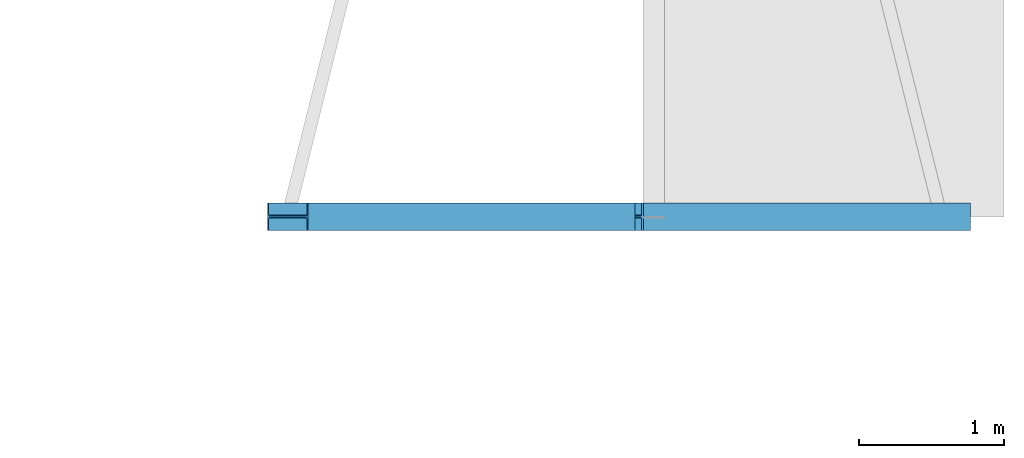
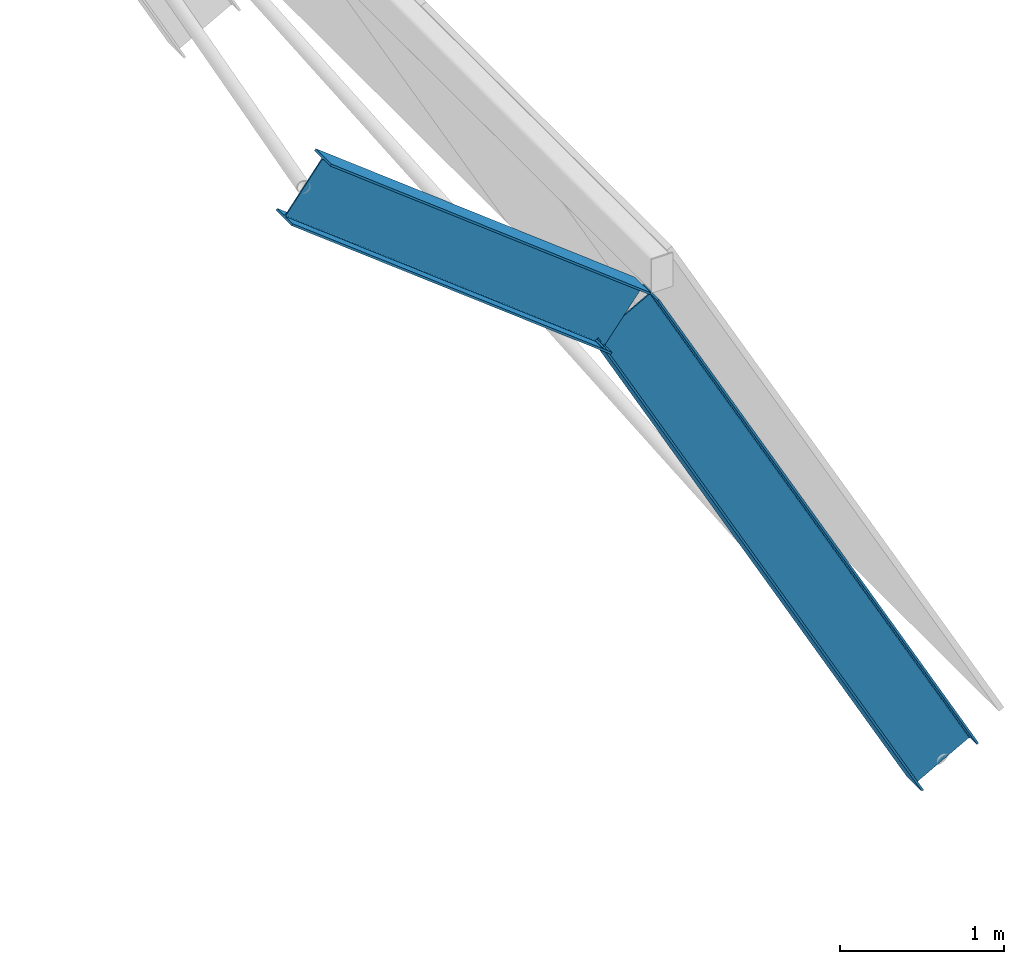
# One storey, part 15 of 62: 2 beams.
"""IFC4 building model written with IfcOpenShell, lengths in metres."""

from ifc_helpers import new_model, si_unit, direction, frame, origin, origin_2d, place, context, subcontext, project, spatial, i_section, extrude, material, material_profile, profile_set, type_object, element, save


model = new_model("IFC4")

# Units and contexts
model_context = context("Model", 3, precision=1e-05, world=origin(), true_north=direction((0.0, 1.0)))
body_context = subcontext(model_context, "Body", "Model", "MODEL_VIEW")
ifc_project = project(units=[si_unit("LENGTHUNIT", "METRE"), si_unit("AREAUNIT", "SQUARE_METRE"), si_unit("VOLUMEUNIT", "CUBIC_METRE"), si_unit("PLANEANGLEUNIT", "RADIAN"), si_unit("MASSUNIT", "GRAM", prefix="KILO")], contexts=[model_context])

# Site, building, storey
site_placement = place(None, origin())
site = spatial("IfcSite", under=ifc_project, at=site_placement, CompositionType="ELEMENT")
building_placement = place(site_placement, origin())
building = spatial("IfcBuilding", under=site, at=building_placement, Name="Hortulan Conservatory and Botanical Research Centre", CompositionType="ELEMENT")
storey_placement = place(building_placement, frame((0.0, 0.0, 15.0)))
storey = spatial("IfcBuildingStorey", under=building, at=storey_placement, Name="L03", CompositionType="ELEMENT", Elevation=15.0)

# Beams
ifc_material = material(Name="Steel Grade 300PLUS (AS/NZS 3679.1, 280 MPa minimum yield)", Category="steel")
ifc_material_profile = material_profile(ifc_material, i_section(OverallWidth=0.18994140625, OverallDepth=0.45703125, WebThickness=0.009033203125, FlangeThickness=0.014404296875, FilletRadius=0.011474609375, at=origin_2d()), Name="460UB74.6")
ifc_profile_set = profile_set([ifc_material_profile], Name="Steel Grade 300PLUS (AS/NZS 3679.1, 280 MPa minimum yield)")
beam_type = type_object("IfcBeamType", Name="Vault Arch 460UB74.6", PredefinedType="BEAM", material=ifc_profile_set)
beam_1_placement = place(storey_placement, frame((103.5, 36.0, 4.8369140625), z_axis=(0.790057951817, 0.0, -0.613032162917), x_axis=(0.0, 1.0, 0.0)))
element("IfcBeam", 1, at=beam_1_placement, inside=storey, type_object=beam_type, Name="Vault arch 1 chord 7", PredefinedType="BEAM", context=body_context, shape_type="SweptSolid", body=[
    extrude(i_section(OverallWidth=0.18994140625, OverallDepth=0.45703125, WebThickness=0.009033203125, FlangeThickness=0.014404296875, FilletRadius=0.011474609375, at=origin_2d()), origin(), (0.0, 0.0, 1.0), 2.847900390625),
])
beam_2_placement = place(storey_placement, frame((105.75, 36.0, 3.091064453125), z_axis=(0.481904698653, 0.0, -0.876223636646), x_axis=(0.0, 1.0, 0.0)))
element("IfcBeam", 2, at=beam_2_placement, inside=storey, type_object=beam_type, Name="Vault arch 1 chord 8", PredefinedType="BEAM", context=body_context, shape_type="SweptSolid", body=[
    extrude(i_section(OverallWidth=0.18994140625, OverallDepth=0.45703125, WebThickness=0.009033203125, FlangeThickness=0.014404296875, FilletRadius=0.011474609375, at=origin_2d()), origin(), (0.0, 0.0, 1.0), 4.6689453125),
])

save(model, "model.ifc")
